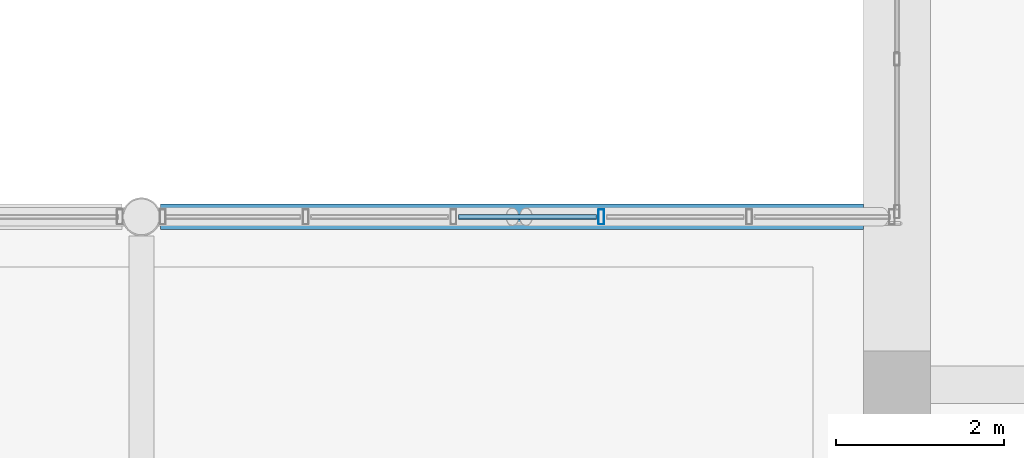
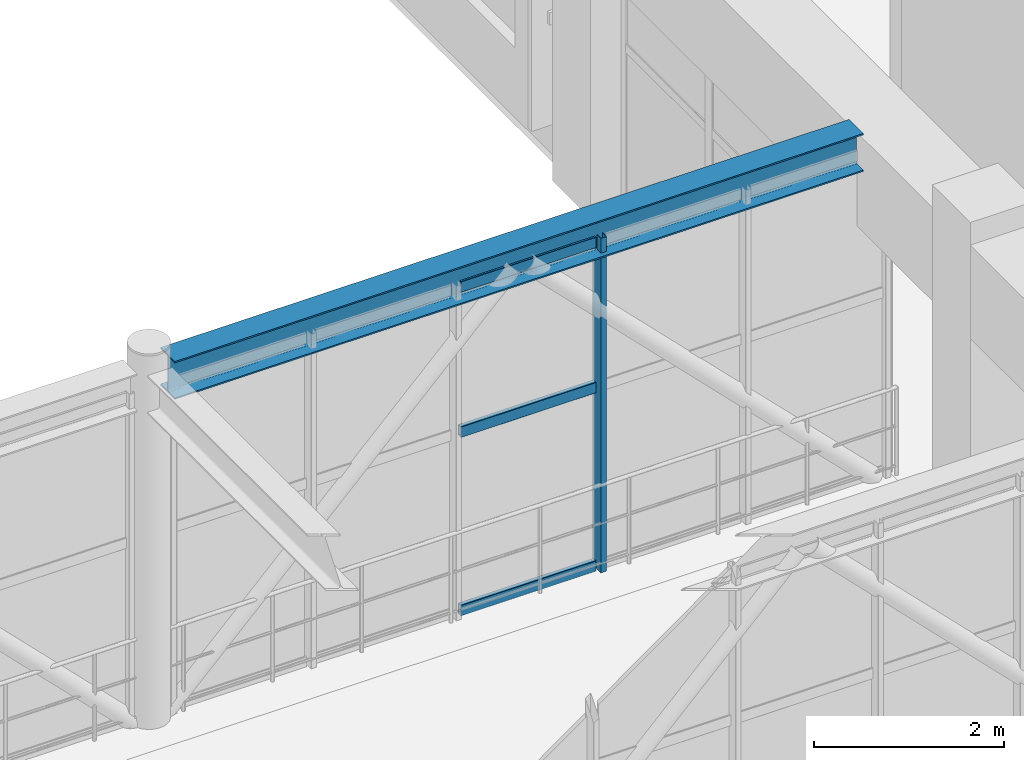
# One storey, part 62 of 178: 4 members, 1 beam, 1 element without a shape of its own.
"""IFC4 building model written with IfcOpenShell, lengths in metres."""

from ifc_helpers import new_model, si_unit, derived_unit, direction, frame, origin, origin_2d, place, context, subcontext, project, spatial, hollow_rectangle, i_section, extrude, material, material_profile, profile_set, type_object, element, aggregate, save


model = new_model("IFC4")

# Units and contexts
model_context = context("Model", 3, precision=1e-05, world=origin(), true_north=direction((0.0, 1.0)))
body_context = subcontext(model_context, "Body", "Model", "MODEL_VIEW")
ifc_project = project(units=[si_unit("LENGTHUNIT", "METRE"), si_unit("AREAUNIT", "SQUARE_METRE"), si_unit("VOLUMEUNIT", "CUBIC_METRE"), si_unit("PLANEANGLEUNIT", "RADIAN"), si_unit("MASSUNIT", "GRAM", prefix="KILO"), derived_unit("THERMALTRANSMITTANCEUNIT", [(si_unit("MASSUNIT", "GRAM", prefix="KILO"), 1), (si_unit("TIMEUNIT", "SECOND"), -3), (si_unit("THERMODYNAMICTEMPERATUREUNIT", "KELVIN"), -1)])], contexts=[model_context])

# Site, building, storey
site_placement = place(None, origin())
site = spatial("IfcSite", under=ifc_project, at=site_placement, CompositionType="ELEMENT")
building_placement = place(site_placement, origin())
building = spatial("IfcBuilding", under=site, at=building_placement, Name="Zhenchuan Archway Interchange", CompositionType="ELEMENT")
storey_placement = place(building_placement, frame((0.0, 0.0, 5.39990234375)))
storey = spatial("IfcBuildingStorey", under=building, at=storey_placement, Name="L01", CompositionType="ELEMENT", Elevation=5.39990234375)

# Beam
ifc_material_1 = material(Name="Steel Q390", Category="steel")
ifc_material_profile_1 = material_profile(ifc_material_1, i_section(OverallWidth=0.300048828125, OverallDepth=0.488037109375, WebThickness=0.010986328125, FlangeThickness=0.01806640625, FilletRadius=0.02197265625, at=origin_2d()), Name="HM 488x300")
ifc_profile_set_1 = profile_set([ifc_material_profile_1], Name="Steel Q390")
beam_type = type_object("IfcBeamType", Name="BM_STL_HM488", PredefinedType="BEAM", material=ifc_profile_set_1)
beam_placement = place(storey_placement, frame((90.228515625, 58.0, 4.336181640625), z_axis=(1.0, 0.0, 0.0), x_axis=(0.0, 1.0, 0.0)))
element("IfcBeam", 1, at=beam_placement, inside=storey, type_object=beam_type, Name="Footbridge roof chord girder E-N (L01)", PredefinedType="BEAM", context=body_context, shape_type="SweptSolid", body=[
    extrude(i_section(OverallWidth=0.300048828125, OverallDepth=0.488037109375, WebThickness=0.010986328125, FlangeThickness=0.01806640625, FilletRadius=0.02197265625, at=origin_2d()), origin(), (0.0, 0.0, 1.0), 8.37158203125),
])

# Curtain wall, members
ifc_material_2 = material(Name="Anodised Aluminium", Category="aluminium")
curtain_wall_type = type_object("IfcCurtainWallType", Name="CW_UNIT_2", PredefinedType="NOTDEFINED", material=ifc_material_2)
curtain_wall_placement = place(storey_placement, origin())
curtain_wall = element("IfcCurtainWall", 2, at=curtain_wall_placement, inside=storey, type_object=curtain_wall_type, Name="Unitised curtain wall CW:L01:057", PredefinedType="NOTDEFINED")
ifc_material_profile_2 = material_profile(ifc_material_2, hollow_rectangle(XDim=0.070068359375, YDim=0.179931640625, WallThickness=0.00390625, InnerFilletRadius=0.00390625, OuterFilletRadius=0.008056640625, at=origin_2d()), Name="ALU 180x70x4")
ifc_profile_set_2 = profile_set([ifc_material_profile_2], Name="Anodised Aluminium")
member_type_1 = type_object("IfcMemberType", Name="CW_MUL_180", PredefinedType="MULLION", material=ifc_profile_set_2)
member_1_placement = place(storey_placement, frame((95.478271484375, 58.0, 0.0), z_axis=(0.0, 0.0, 1.0), x_axis=(1.0, 0.0, 0.0)))
member_1 = element("IfcMember", 3, at=member_1_placement, type_object=member_type_1, Name="CW:L01:057 mullion 3", PredefinedType="MULLION", context=body_context, shape_type="SweptSolid", body=[
    extrude(hollow_rectangle(XDim=0.070068359375, YDim=0.179931640625, WallThickness=0.00390625, InnerFilletRadius=0.00390625, OuterFilletRadius=0.008056640625, at=origin_2d()), origin(), (0.0, 0.0, 1.0), 4.300048828125),
])
ifc_material_profile_3 = material_profile(ifc_material_2, hollow_rectangle(XDim=0.06005859375, YDim=0.139892578125, WallThickness=0.00341796875, InnerFilletRadius=0.00341796875, OuterFilletRadius=0.007080078125, at=origin_2d()), Name="ALU 140x60x3.5")
ifc_profile_set_3 = profile_set([ifc_material_profile_3], Name="Anodised Aluminium")
member_type_2 = type_object("IfcMemberType", Name="CW_TRN_140", PredefinedType="USERDEFINED", material=ifc_profile_set_3)
member_2_placement = place(storey_placement, frame((93.77734375, 58.0, 0.06005859375), z_axis=(1.0, 0.0, 0.0), x_axis=(0.0, 1.0, 0.0)))
member_2 = element("IfcMember", 4, at=member_2_placement, type_object=member_type_2, Name="CW:L01:057 transom 2-1", ObjectType="TRANSOM", PredefinedType="USERDEFINED", context=body_context, shape_type="SweptSolid", body=[
    extrude(hollow_rectangle(XDim=0.06005859375, YDim=0.139892578125, WallThickness=0.00341796875, InnerFilletRadius=0.00341796875, OuterFilletRadius=0.007080078125, at=origin_2d()), origin(), (0.0, 0.0, 1.0), 1.640869140625),
])
member_3_placement = place(storey_placement, frame((93.77734375, 58.0, 2.35400390625), z_axis=(1.0, 0.0, 0.0), x_axis=(0.0, 1.0, 0.0)))
member_3 = element("IfcMember", 5, at=member_3_placement, type_object=member_type_2, Name="CW:L01:057 transom 2-2", ObjectType="TRANSOM", PredefinedType="USERDEFINED", context=body_context, shape_type="SweptSolid", body=[
    extrude(hollow_rectangle(XDim=0.06005859375, YDim=0.139892578125, WallThickness=0.00341796875, InnerFilletRadius=0.00341796875, OuterFilletRadius=0.007080078125, at=origin_2d()), origin(), (0.0, 0.0, 1.0), 1.640869140625),
])
member_4_placement = place(storey_placement, frame((93.77734375, 58.0, 4.22021484375), z_axis=(1.0, 0.0, 0.0), x_axis=(0.0, 1.0, 0.0)))
member_4 = element("IfcMember", 6, at=member_4_placement, type_object=member_type_2, Name="CW:L01:057 transom 2-3", ObjectType="TRANSOM", PredefinedType="USERDEFINED", context=body_context, shape_type="SweptSolid", body=[
    extrude(hollow_rectangle(XDim=0.06005859375, YDim=0.139892578125, WallThickness=0.00341796875, InnerFilletRadius=0.00341796875, OuterFilletRadius=0.007080078125, at=origin_2d()), origin(), (0.0, 0.0, 1.0), 1.640869140625),
])
aggregate(curtain_wall, [member_1, member_2, member_3, member_4])

save(model, "model.ifc")
